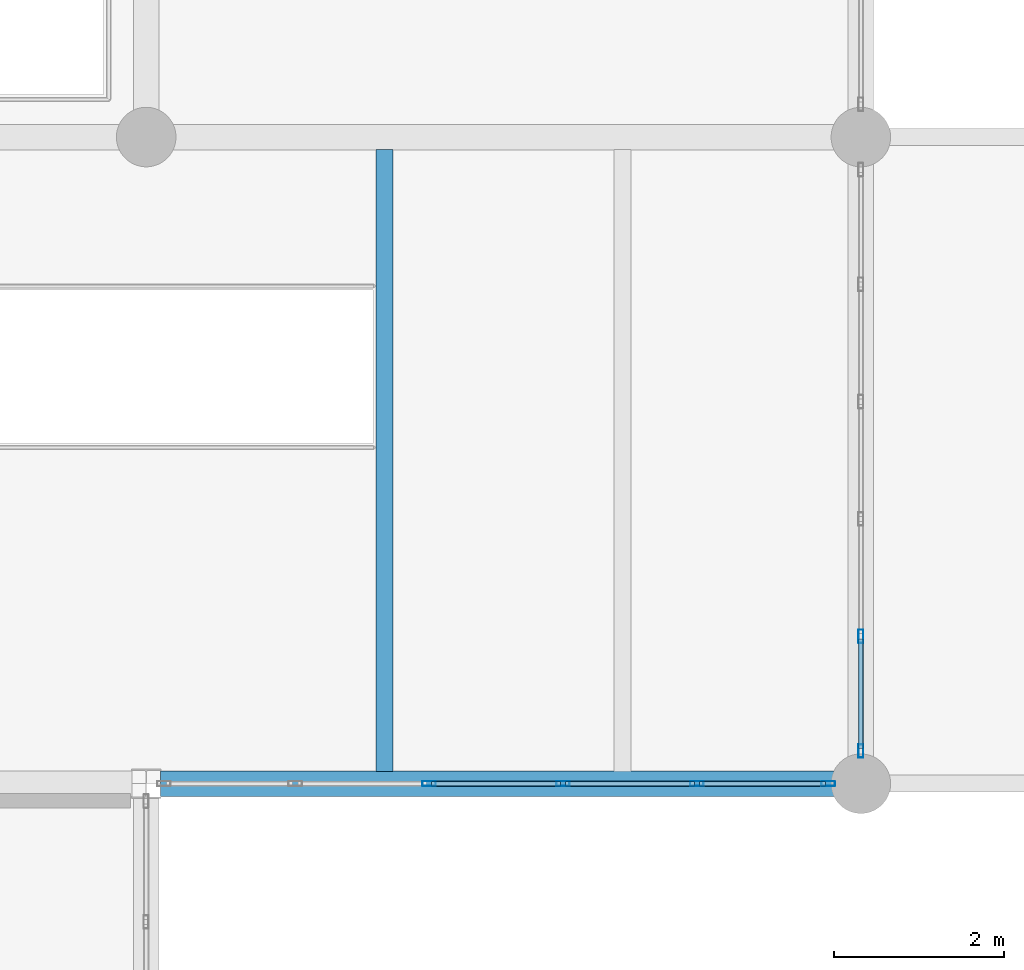
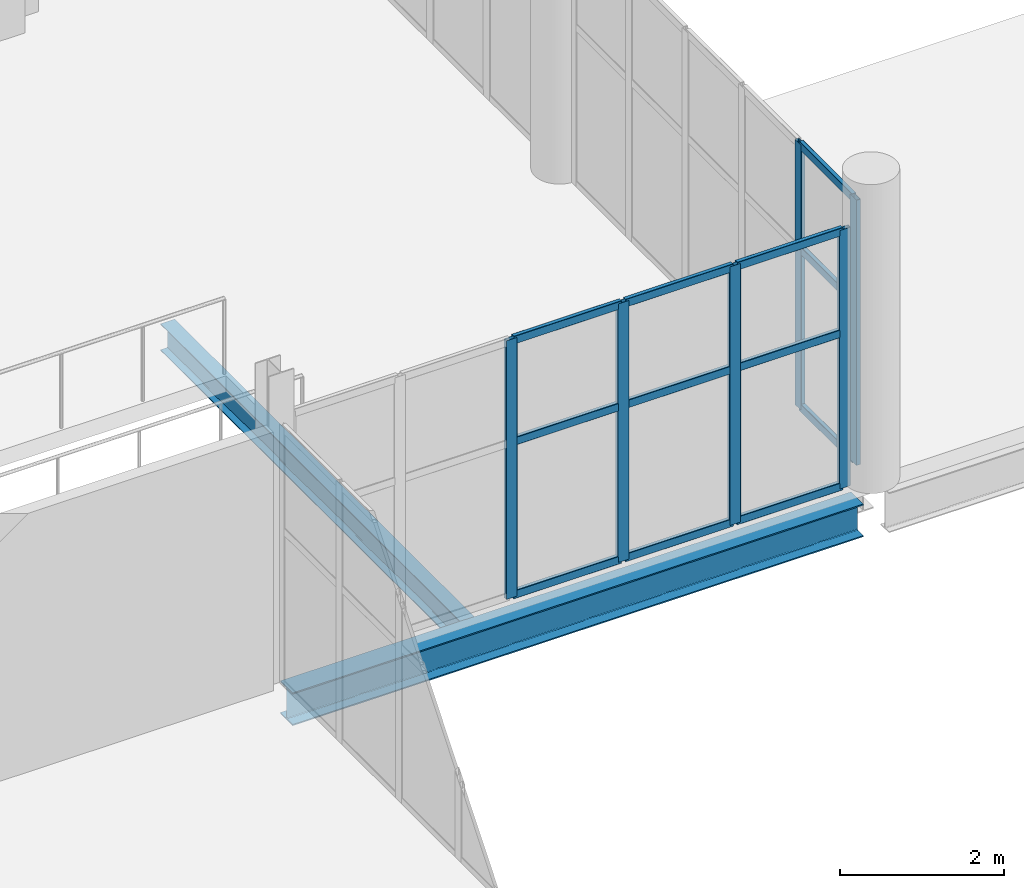
# One storey, part 30 of 136: 18 members, 2 beams, 2 elements without a shape of their own.
"""IFC4 building model written with IfcOpenShell, lengths in metres."""

from ifc_helpers import new_model, si_unit, direction, frame, origin, origin_2d, place, context, subcontext, project, spatial, hollow_rectangle, i_section, extrude, material, material_profile, profile_set, type_object, element, aggregate, save


model = new_model("IFC4")

# Units and contexts
model_context = context("Model", 3, precision=1e-05, world=origin(), true_north=direction((0.0, 1.0)))
body_context = subcontext(model_context, "Body", "Model", "MODEL_VIEW")
ifc_project = project(units=[si_unit("LENGTHUNIT", "METRE"), si_unit("AREAUNIT", "SQUARE_METRE"), si_unit("VOLUMEUNIT", "CUBIC_METRE"), si_unit("PLANEANGLEUNIT", "RADIAN"), si_unit("MASSUNIT", "GRAM", prefix="KILO")], contexts=[model_context])

# Site, building, storey
site_placement = place(None, origin())
site = spatial("IfcSite", under=ifc_project, at=site_placement, CompositionType="ELEMENT")
building_placement = place(site_placement, origin())
building = spatial("IfcBuilding", under=site, at=building_placement, Name="Shengluoqiao Park Theatre", CompositionType="ELEMENT")
storey_placement = place(building_placement, frame((0.0, 0.0, 10.0)))
storey = spatial("IfcBuildingStorey", under=building, at=storey_placement, Name="L02", CompositionType="ELEMENT", Elevation=10.0)

# Curtain wall, members
ifc_material_1 = material(Name="Aluminium 6063-T6", Category="aluminium")
curtain_wall_type_1 = type_object("IfcCurtainWallType", Name="ENV-CW-FOYER", PredefinedType="NOTDEFINED", material=ifc_material_1)
curtain_wall_1_placement = place(storey_placement, origin())
curtain_wall_1 = element("IfcCurtainWall", 1, at=curtain_wall_1_placement, inside=storey, type_object=curtain_wall_type_1, Name="L02 Curtain Wall CWX-L02-0214", PredefinedType="NOTDEFINED")
ifc_material_profile_1 = material_profile(ifc_material_1, hollow_rectangle(XDim=0.06005859375, YDim=0.159912109375, WallThickness=0.00390625, InnerFilletRadius=0.00390625, OuterFilletRadius=0.008056640625, at=origin_2d()), Name="ALU MULLION 160x60x4")
ifc_profile_set_1 = profile_set([ifc_material_profile_1], Name="Aluminium 6063-T6")
member_type_1 = type_object("IfcMemberType", Name="ENV-MUL-160", PredefinedType="MULLION", material=ifc_profile_set_1)
member_1_placement = place(storey_placement, frame((39.3251953125, 53.199951171875, 0.0), z_axis=(0.0, 0.0, 1.0), x_axis=(0.0, 1.0, 0.0)))
member_1 = element("IfcMember", 2, at=member_1_placement, type_object=member_type_1, Name="CW-01 mullion 3", PredefinedType="MULLION", context=body_context, shape_type="SweptSolid", body=[
    extrude(hollow_rectangle(XDim=0.06005859375, YDim=0.159912109375, WallThickness=0.00390625, InnerFilletRadius=0.00390625, OuterFilletRadius=0.008056640625, at=origin_2d()), origin(), (0.0, 0.0, 1.0), 3.85009765625),
])
member_2_placement = place(storey_placement, frame((40.898681640625, 53.199951171875, 0.0), z_axis=(0.0, 0.0, 1.0), x_axis=(0.0, 1.0, 0.0)))
member_2 = element("IfcMember", 3, at=member_2_placement, type_object=member_type_1, Name="CW-01 mullion 4", PredefinedType="MULLION", context=body_context, shape_type="SweptSolid", body=[
    extrude(hollow_rectangle(XDim=0.06005859375, YDim=0.159912109375, WallThickness=0.00390625, InnerFilletRadius=0.00390625, OuterFilletRadius=0.008056640625, at=origin_2d()), origin(), (0.0, 0.0, 1.0), 3.85009765625),
])
member_3_placement = place(storey_placement, frame((42.472412109375, 53.199951171875, 0.0), z_axis=(0.0, 0.0, 1.0), x_axis=(0.0, 1.0, 0.0)))
member_3 = element("IfcMember", 4, at=member_3_placement, type_object=member_type_1, Name="CW-01 mullion 5", PredefinedType="MULLION", context=body_context, shape_type="SweptSolid", body=[
    extrude(hollow_rectangle(XDim=0.06005859375, YDim=0.159912109375, WallThickness=0.00390625, InnerFilletRadius=0.00390625, OuterFilletRadius=0.008056640625, at=origin_2d()), origin(), (0.0, 0.0, 1.0), 3.85009765625),
])
member_4_placement = place(storey_placement, frame((44.01611328125, 53.199951171875, 0.0), z_axis=(0.0, 0.0, 1.0), x_axis=(0.0, 1.0, 0.0)))
member_4 = element("IfcMember", 5, at=member_4_placement, type_object=member_type_1, Name="CW-01 mullion 6", PredefinedType="MULLION", context=body_context, shape_type="SweptSolid", body=[
    extrude(hollow_rectangle(XDim=0.06005859375, YDim=0.159912109375, WallThickness=0.00390625, InnerFilletRadius=0.00390625, OuterFilletRadius=0.008056640625, at=origin_2d()), origin(), (0.0, 0.0, 1.0), 3.85009765625),
])

curtain_wall_type_2 = type_object("IfcCurtainWallType", Name="ENV-CW-COURT", PredefinedType="NOTDEFINED", material=ifc_material_1)
curtain_wall_2_placement = place(storey_placement, origin())
curtain_wall_2 = element("IfcCurtainWall", 6, at=curtain_wall_2_placement, inside=storey, type_object=curtain_wall_type_2, Name="L02 Curtain Wall CWX-L02-0215", PredefinedType="NOTDEFINED")
member_5_placement = place(storey_placement, frame((44.39990234375, 53.583984375, 0.0), z_axis=(0.0, 0.0, 1.0), x_axis=(-1.0, 0.0, 0.0)))
member_5 = element("IfcMember", 7, at=member_5_placement, type_object=member_type_1, Name="CW-05 mullion 1", PredefinedType="MULLION", context=body_context, shape_type="SweptSolid", body=[
    extrude(hollow_rectangle(XDim=0.06005859375, YDim=0.159912109375, WallThickness=0.00390625, InnerFilletRadius=0.00390625, OuterFilletRadius=0.008056640625, at=origin_2d()), origin(), (0.0, 0.0, 1.0), 3.947998046875),
])
member_6_placement = place(storey_placement, frame((44.39990234375, 54.932373046875, 0.0), z_axis=(0.0, 0.0, 1.0), x_axis=(-1.0, 0.0, 0.0)))
member_6 = element("IfcMember", 8, at=member_6_placement, type_object=member_type_1, Name="CW-05 mullion 2", PredefinedType="MULLION", context=body_context, shape_type="SweptSolid", body=[
    extrude(hollow_rectangle(XDim=0.06005859375, YDim=0.159912109375, WallThickness=0.00390625, InnerFilletRadius=0.00390625, OuterFilletRadius=0.008056640625, at=origin_2d()), origin(), (0.0, 0.0, 1.0), 3.947998046875),
])

# Member
ifc_material_profile_2 = material_profile(ifc_material_1, hollow_rectangle(XDim=0.06005859375, YDim=0.1201171875, WallThickness=0.00390625, InnerFilletRadius=0.00390625, OuterFilletRadius=0.008056640625, at=origin_2d()), Name="ALU TRANSOM 120x60x4")
ifc_profile_set_2 = profile_set([ifc_material_profile_2], Name="Aluminium 6063-T6")
member_type_2 = type_object("IfcMemberType", Name="ENV-TRN-120", PredefinedType="USERDEFINED", material=ifc_profile_set_2)
member_7_placement = place(storey_placement, frame((39.355224609375, 53.199951171875, 0.030029296875), z_axis=(1.0, 0.0, 0.0), x_axis=(0.0, 1.0, 0.0)))
member_7 = element("IfcMember", 9, at=member_7_placement, type_object=member_type_2, Name="CW-01 transom 3.1", ObjectType="TRANSOM", PredefinedType="USERDEFINED", context=body_context, shape_type="SweptSolid", body=[
    extrude(hollow_rectangle(XDim=0.06005859375, YDim=0.1201171875, WallThickness=0.00390625, InnerFilletRadius=0.00390625, OuterFilletRadius=0.008056640625, at=origin_2d()), origin(), (0.0, 0.0, 1.0), 1.513671875),
])

member_8_placement = place(storey_placement, frame((39.355224609375, 53.199951171875, 2.31005859375), z_axis=(1.0, 0.0, 0.0), x_axis=(0.0, 1.0, 0.0)))
member_8 = element("IfcMember", 10, at=member_8_placement, type_object=member_type_2, Name="CW-01 transom 3.2", ObjectType="TRANSOM", PredefinedType="USERDEFINED", context=body_context, shape_type="SweptSolid", body=[
    extrude(hollow_rectangle(XDim=0.06005859375, YDim=0.1201171875, WallThickness=0.00390625, InnerFilletRadius=0.00390625, OuterFilletRadius=0.008056640625, at=origin_2d()), origin(), (0.0, 0.0, 1.0), 1.513671875),
])

member_9_placement = place(storey_placement, frame((39.355224609375, 53.199951171875, 3.820068359375), z_axis=(1.0, 0.0, 0.0), x_axis=(0.0, 1.0, 0.0)))
member_9 = element("IfcMember", 11, at=member_9_placement, type_object=member_type_2, Name="CW-01 transom 3.3", ObjectType="TRANSOM", PredefinedType="USERDEFINED", context=body_context, shape_type="SweptSolid", body=[
    extrude(hollow_rectangle(XDim=0.06005859375, YDim=0.1201171875, WallThickness=0.00390625, InnerFilletRadius=0.00390625, OuterFilletRadius=0.008056640625, at=origin_2d()), origin(), (0.0, 0.0, 1.0), 1.513671875),
])

member_10_placement = place(storey_placement, frame((40.9287109375, 53.199951171875, 0.030029296875), z_axis=(1.0, 0.0, 0.0), x_axis=(0.0, 1.0, 0.0)))
member_10 = element("IfcMember", 12, at=member_10_placement, type_object=member_type_2, Name="CW-01 transom 4.1", ObjectType="TRANSOM", PredefinedType="USERDEFINED", context=body_context, shape_type="SweptSolid", body=[
    extrude(hollow_rectangle(XDim=0.06005859375, YDim=0.1201171875, WallThickness=0.00390625, InnerFilletRadius=0.00390625, OuterFilletRadius=0.008056640625, at=origin_2d()), origin(), (0.0, 0.0, 1.0), 1.513671875),
])

member_11_placement = place(storey_placement, frame((40.9287109375, 53.199951171875, 2.31005859375), z_axis=(1.0, 0.0, 0.0), x_axis=(0.0, 1.0, 0.0)))
member_11 = element("IfcMember", 13, at=member_11_placement, type_object=member_type_2, Name="CW-01 transom 4.2", ObjectType="TRANSOM", PredefinedType="USERDEFINED", context=body_context, shape_type="SweptSolid", body=[
    extrude(hollow_rectangle(XDim=0.06005859375, YDim=0.1201171875, WallThickness=0.00390625, InnerFilletRadius=0.00390625, OuterFilletRadius=0.008056640625, at=origin_2d()), origin(), (0.0, 0.0, 1.0), 1.513671875),
])

member_12_placement = place(storey_placement, frame((40.9287109375, 53.199951171875, 3.820068359375), z_axis=(1.0, 0.0, 0.0), x_axis=(0.0, 1.0, 0.0)))
member_12 = element("IfcMember", 14, at=member_12_placement, type_object=member_type_2, Name="CW-01 transom 4.3", ObjectType="TRANSOM", PredefinedType="USERDEFINED", context=body_context, shape_type="SweptSolid", body=[
    extrude(hollow_rectangle(XDim=0.06005859375, YDim=0.1201171875, WallThickness=0.00390625, InnerFilletRadius=0.00390625, OuterFilletRadius=0.008056640625, at=origin_2d()), origin(), (0.0, 0.0, 1.0), 1.513671875),
])

member_13_placement = place(storey_placement, frame((42.50244140625, 53.199951171875, 0.030029296875), z_axis=(1.0, 0.0, 0.0), x_axis=(0.0, 1.0, 0.0)))
member_13 = element("IfcMember", 15, at=member_13_placement, type_object=member_type_2, Name="CW-01 transom 5.1", ObjectType="TRANSOM", PredefinedType="USERDEFINED", context=body_context, shape_type="SweptSolid", body=[
    extrude(hollow_rectangle(XDim=0.06005859375, YDim=0.1201171875, WallThickness=0.00390625, InnerFilletRadius=0.00390625, OuterFilletRadius=0.008056640625, at=origin_2d()), origin(), (0.0, 0.0, 1.0), 1.483642578125),
])

member_14_placement = place(storey_placement, frame((42.50244140625, 53.199951171875, 2.31005859375), z_axis=(1.0, 0.0, 0.0), x_axis=(0.0, 1.0, 0.0)))
member_14 = element("IfcMember", 16, at=member_14_placement, type_object=member_type_2, Name="CW-01 transom 5.2", ObjectType="TRANSOM", PredefinedType="USERDEFINED", context=body_context, shape_type="SweptSolid", body=[
    extrude(hollow_rectangle(XDim=0.06005859375, YDim=0.1201171875, WallThickness=0.00390625, InnerFilletRadius=0.00390625, OuterFilletRadius=0.008056640625, at=origin_2d()), origin(), (0.0, 0.0, 1.0), 1.483642578125),
])

member_15_placement = place(storey_placement, frame((42.50244140625, 53.199951171875, 3.820068359375), z_axis=(1.0, 0.0, 0.0), x_axis=(0.0, 1.0, 0.0)))
member_15 = element("IfcMember", 17, at=member_15_placement, type_object=member_type_2, Name="CW-01 transom 5.3", ObjectType="TRANSOM", PredefinedType="USERDEFINED", context=body_context, shape_type="SweptSolid", body=[
    extrude(hollow_rectangle(XDim=0.06005859375, YDim=0.1201171875, WallThickness=0.00390625, InnerFilletRadius=0.00390625, OuterFilletRadius=0.008056640625, at=origin_2d()), origin(), (0.0, 0.0, 1.0), 1.483642578125),
])

aggregate(curtain_wall_1, [member_1, member_2, member_3, member_4, member_7, member_8, member_9, member_10, member_11, member_12, member_13, member_14, member_15])

member_16_placement = place(storey_placement, frame((44.39990234375, 53.614013671875, 0.030029296875), z_axis=(0.0, 1.0, 0.0), x_axis=(-1.0, 0.0, 0.0)))
member_16 = element("IfcMember", 18, at=member_16_placement, type_object=member_type_2, Name="CW-05 transom 1.1", ObjectType="TRANSOM", PredefinedType="USERDEFINED", context=body_context, shape_type="SweptSolid", body=[
    extrude(hollow_rectangle(XDim=0.06005859375, YDim=0.1201171875, WallThickness=0.00390625, InnerFilletRadius=0.00390625, OuterFilletRadius=0.008056640625, at=origin_2d()), origin(), (0.0, 0.0, 1.0), 1.288330078125),
])

member_17_placement = place(storey_placement, frame((44.39990234375, 53.614013671875, 2.368896484375), z_axis=(0.0, 1.0, 0.0), x_axis=(-1.0, 0.0, 0.0)))
member_17 = element("IfcMember", 19, at=member_17_placement, type_object=member_type_2, Name="CW-05 transom 1.2", ObjectType="TRANSOM", PredefinedType="USERDEFINED", context=body_context, shape_type="SweptSolid", body=[
    extrude(hollow_rectangle(XDim=0.06005859375, YDim=0.1201171875, WallThickness=0.00390625, InnerFilletRadius=0.00390625, OuterFilletRadius=0.008056640625, at=origin_2d()), origin(), (0.0, 0.0, 1.0), 1.288330078125),
])

member_18_placement = place(storey_placement, frame((44.39990234375, 53.614013671875, 3.91796875), z_axis=(0.0, 1.0, 0.0), x_axis=(-1.0, 0.0, 0.0)))
member_18 = element("IfcMember", 20, at=member_18_placement, type_object=member_type_2, Name="CW-05 transom 1.3", ObjectType="TRANSOM", PredefinedType="USERDEFINED", context=body_context, shape_type="SweptSolid", body=[
    extrude(hollow_rectangle(XDim=0.06005859375, YDim=0.1201171875, WallThickness=0.00390625, InnerFilletRadius=0.00390625, OuterFilletRadius=0.008056640625, at=origin_2d()), origin(), (0.0, 0.0, 1.0), 1.288330078125),
])

aggregate(curtain_wall_2, [member_5, member_6, member_16, member_17, member_18])

# Beams
ifc_material_2 = material(Name="Steel Q355", Category="steel")
ifc_material_profile_3 = material_profile(ifc_material_2, i_section(OverallWidth=0.300048828125, OverallDepth=0.488037109375, WebThickness=0.010986328125, FlangeThickness=0.01806640625, FilletRadius=0.02197265625, at=origin_2d()), Name="HM 488x300x11x18")
ifc_profile_set_3 = profile_set([ifc_material_profile_3], Name="Steel Q355")
beam_type_1 = type_object("IfcBeamType", Name="STR-BM-G-HM488", PredefinedType="BEAM", material=ifc_profile_set_3)
beam_1_placement = place(storey_placement, frame((36.1689453125, 53.199951171875, -0.48388671875), z_axis=(1.0, 0.0, 0.0), x_axis=(0.0, 1.0, 0.0)))
element("IfcBeam", 21, at=beam_1_placement, inside=storey, type_object=beam_type_1, Name="L02 Primary Girder 00971", PredefinedType="BEAM", context=body_context, shape_type="SweptSolid", body=[
    extrude(i_section(OverallWidth=0.300048828125, OverallDepth=0.488037109375, WebThickness=0.010986328125, FlangeThickness=0.01806640625, FilletRadius=0.02197265625, at=origin_2d()), origin(), (0.0, 0.0, 1.0), 8.037109375),
])
ifc_material_profile_4 = material_profile(ifc_material_2, i_section(OverallWidth=0.199951171875, OverallDepth=0.39990234375, WebThickness=0.008056640625, FlangeThickness=0.012939453125, FilletRadius=0.01611328125, at=origin_2d()), Name="HN 400x200x8x13")
ifc_profile_set_4 = profile_set([ifc_material_profile_4], Name="Steel Q355")
beam_type_2 = type_object("IfcBeamType", Name="STR-BM-J-HN400", PredefinedType="JOIST", material=ifc_profile_set_4)
beam_2_placement = place(storey_placement, frame((38.800048828125, 53.344970703125, -0.43994140625), z_axis=(0.0, 1.0, 0.0), x_axis=(-1.0, 0.0, 0.0)))
element("IfcBeam", 22, at=beam_2_placement, inside=storey, type_object=beam_type_2, Name="L02 Composite Joist 00984", PredefinedType="JOIST", context=body_context, shape_type="SweptSolid", body=[
    extrude(i_section(OverallWidth=0.199951171875, OverallDepth=0.39990234375, WebThickness=0.008056640625, FlangeThickness=0.012939453125, FilletRadius=0.01611328125, at=origin_2d()), origin(), (0.0, 0.0, 1.0), 7.31005859375),
])

save(model, "model.ifc")
